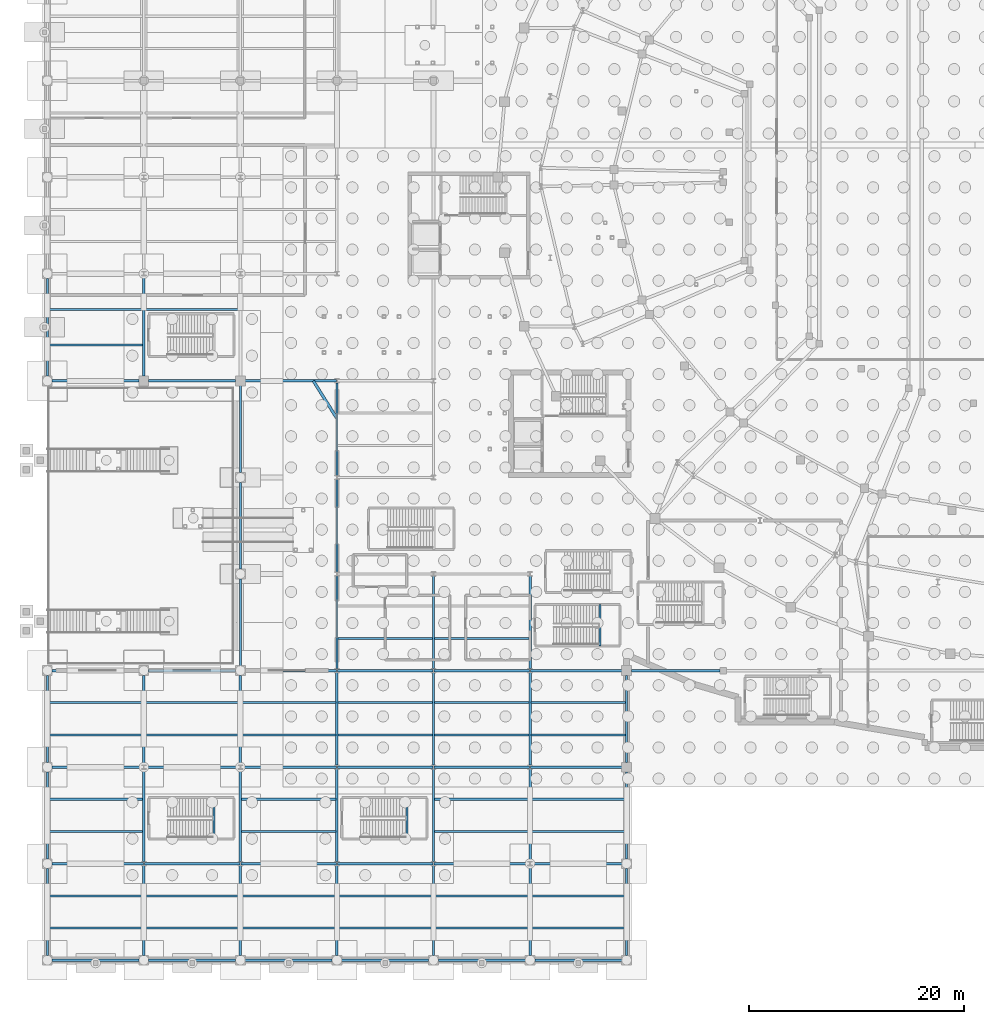
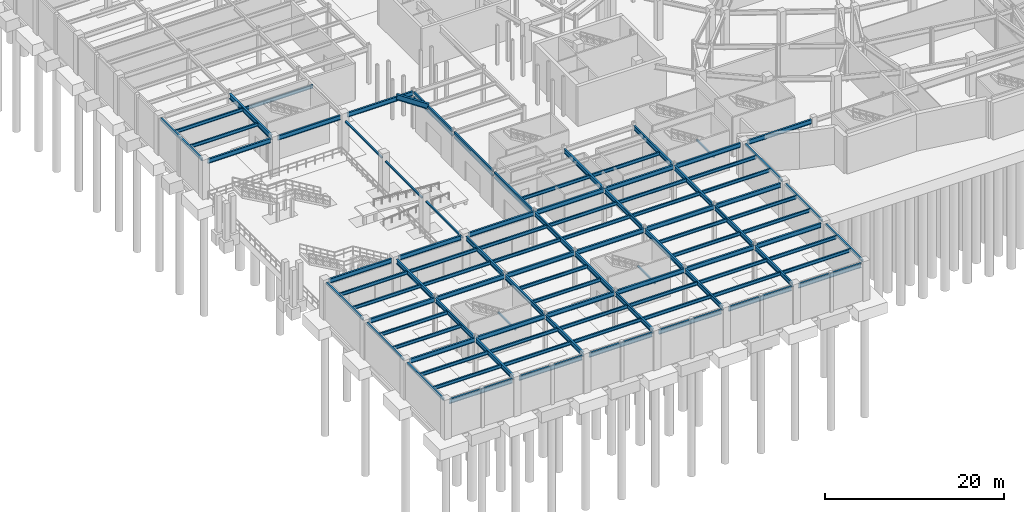
# One storey, part 32 of 56: 103 beams.
"""IFC4 building model written with IfcOpenShell, lengths in metres."""

from ifc_helpers import new_model, si_unit, direction, frame, origin, origin_2d, place, context, subcontext, project, spatial, hollow_rectangle, i_section, extrude, material, material_profile, profile_set, type_object, element, save


model = new_model("IFC4")

# Units and contexts
model_context = context("Model", 3, precision=1e-05, world=origin(), true_north=direction((0.0, 1.0)))
body_context = subcontext(model_context, "Body", "Model", "MODEL_VIEW")
ifc_project = project(units=[si_unit("LENGTHUNIT", "METRE"), si_unit("AREAUNIT", "SQUARE_METRE"), si_unit("VOLUMEUNIT", "CUBIC_METRE"), si_unit("PLANEANGLEUNIT", "RADIAN"), si_unit("MASSUNIT", "GRAM", prefix="KILO")], contexts=[model_context])

# Site, building, storey
site_placement = place(None, origin())
site = spatial("IfcSite", under=ifc_project, at=site_placement, CompositionType="ELEMENT")
building_placement = place(site_placement, origin())
building = spatial("IfcBuilding", under=site, at=building_placement, Name="Glasvene Arena", CompositionType="ELEMENT")
storey_placement = place(building_placement, frame((0.0, 0.0, -5.39990234375)))
storey = spatial("IfcBuildingStorey", under=building, at=storey_placement, Name="B1", CompositionType="ELEMENT", Elevation=-5.39990234375)

# Beams
ifc_material = material(Name="Steel S355J2", Category="steel")
ifc_material_profile_1 = material_profile(ifc_material, i_section(OverallWidth=0.228271484375, OverallDepth=0.607666015625, WebThickness=0.010986328125, FlangeThickness=0.017333984375, FilletRadius=0.0126953125, at=origin_2d()), Name="UKB 610x229x113")
ifc_profile_set_1 = profile_set([ifc_material_profile_1], Name="Steel S355J2")
beam_type_1 = type_object("IfcBeamType", Name="BM-GIRD-610", PredefinedType="BEAM", material=ifc_profile_set_1)
for number, where, z_axis, x_axis, name in (
    (1, (0.445068359375, 0.0, 4.736083984375), (1.0, 0.0, 0.0), (0.0, 1.0, 0.0), "Primary X girder B1-0001"),
    (2, (9.445068359375, 0.0, 4.736083984375), (1.0, 0.0, 0.0), (0.0, 1.0, 0.0), "Primary X girder B1-0002"),
    (3, (18.445068359375, 0.0, 4.736083984375), (1.0, 0.0, 0.0), (0.0, 1.0, 0.0), "Primary X girder B1-0003"),
    (4, (27.445068359375, 0.0, 4.736083984375), (1.0, 0.0, 0.0), (0.0, 1.0, 0.0), "Primary X girder B1-0004"),
    (5, (36.445068359375, 0.0, 4.736083984375), (1.0, 0.0, 0.0), (0.0, 1.0, 0.0), "Primary X girder B1-0005"),
    (6, (45.445068359375, 0.0, 4.736083984375), (1.0, 0.0, 0.0), (0.0, 1.0, 0.0), "Primary X girder B1-0006"),
):
    element("IfcBeam", number, at=place(storey_placement, frame(where, z_axis=z_axis, x_axis=x_axis)), inside=storey, type_object=beam_type_1, Name=name, PredefinedType="BEAM", context=body_context, shape_type="SweptSolid", body=[
        extrude(i_section(OverallWidth=0.228271484375, OverallDepth=0.607666015625, WebThickness=0.010986328125, FlangeThickness=0.017333984375, FilletRadius=0.0126953125, at=origin_2d()), origin(), (0.0, 0.0, 1.0), 8.10986328125),
    ])
beam_1_placement = place(storey_placement, frame((0.445068359375, 9.0, 4.736083984375), z_axis=(1.0, 0.0, 0.0), x_axis=(0.0, 1.0, 0.0)))
element("IfcBeam", 7, at=beam_1_placement, inside=storey, type_object=beam_type_1, Name="Primary X girder B1-0007", PredefinedType="BEAM", context=body_context, shape_type="SweptSolid", body=[
    extrude(i_section(OverallWidth=0.228271484375, OverallDepth=0.607666015625, WebThickness=0.010986328125, FlangeThickness=0.017333984375, FilletRadius=0.0126953125, at=origin_2d()), origin(), (0.0, 0.0, 1.0), 8.5048828125),
])
for number, where, z_axis, x_axis, name in (
    (8, (9.050048828125, 9.0, 4.736083984375), (1.0, 0.0, 0.0), (0.0, 1.0, 0.0), "Primary X girder B1-0008"),
    (9, (18.050048828125, 9.0, 4.736083984375), (1.0, 0.0, 0.0), (0.0, 1.0, 0.0), "Primary X girder B1-0009"),
    (10, (27.050048828125, 9.0, 4.736083984375), (1.0, 0.0, 0.0), (0.0, 1.0, 0.0), "Primary X girder B1-0010"),
    (11, (36.050048828125, 9.0, 4.736083984375), (1.0, 0.0, 0.0), (0.0, 1.0, 0.0), "Primary X girder B1-0011"),
):
    element("IfcBeam", number, at=place(storey_placement, frame(where, z_axis=z_axis, x_axis=x_axis)), inside=storey, type_object=beam_type_1, Name=name, PredefinedType="BEAM", context=body_context, shape_type="SweptSolid", body=[
        extrude(i_section(OverallWidth=0.228271484375, OverallDepth=0.607666015625, WebThickness=0.010986328125, FlangeThickness=0.017333984375, FilletRadius=0.0126953125, at=origin_2d()), origin(), (0.0, 0.0, 1.0), 8.89990234375),
    ])
for number, where, z_axis, x_axis, name in (
    (12, (45.050048828125, 9.0, 4.736083984375), (1.0, 0.0, 0.0), (0.0, 1.0, 0.0), "Primary X girder B1-0012"),
    (13, (0.445068359375, 18.0, 4.736083984375), (1.0, 0.0, 0.0), (0.0, 1.0, 0.0), "Primary X girder B1-0013"),
):
    element("IfcBeam", number, at=place(storey_placement, frame(where, z_axis=z_axis, x_axis=x_axis)), inside=storey, type_object=beam_type_1, Name=name, PredefinedType="BEAM", context=body_context, shape_type="SweptSolid", body=[
        extrude(i_section(OverallWidth=0.228271484375, OverallDepth=0.607666015625, WebThickness=0.010986328125, FlangeThickness=0.017333984375, FilletRadius=0.0126953125, at=origin_2d()), origin(), (0.0, 0.0, 1.0), 8.5048828125),
    ])
for number, where, z_axis, x_axis, name in (
    (14, (9.050048828125, 18.0, 4.736083984375), (1.0, 0.0, 0.0), (0.0, 1.0, 0.0), "Primary X girder B1-0014"),
    (15, (18.050048828125, 18.0, 4.736083984375), (1.0, 0.0, 0.0), (0.0, 1.0, 0.0), "Primary X girder B1-0015"),
    (16, (27.050048828125, 18.0, 4.736083984375), (1.0, 0.0, 0.0), (0.0, 1.0, 0.0), "Primary X girder B1-0016"),
    (17, (36.050048828125, 18.0, 4.736083984375), (1.0, 0.0, 0.0), (0.0, 1.0, 0.0), "Primary X girder B1-0017"),
):
    element("IfcBeam", number, at=place(storey_placement, frame(where, z_axis=z_axis, x_axis=x_axis)), inside=storey, type_object=beam_type_1, Name=name, PredefinedType="BEAM", context=body_context, shape_type="SweptSolid", body=[
        extrude(i_section(OverallWidth=0.228271484375, OverallDepth=0.607666015625, WebThickness=0.010986328125, FlangeThickness=0.017333984375, FilletRadius=0.0126953125, at=origin_2d()), origin(), (0.0, 0.0, 1.0), 8.89990234375),
    ])
beam_2_placement = place(storey_placement, frame((45.050048828125, 18.0, 4.736083984375), z_axis=(1.0, 0.0, 0.0), x_axis=(0.0, 1.0, 0.0)))
element("IfcBeam", 18, at=beam_2_placement, inside=storey, type_object=beam_type_1, Name="Primary X girder B1-0018", PredefinedType="BEAM", context=body_context, shape_type="SweptSolid", body=[
    extrude(i_section(OverallWidth=0.228271484375, OverallDepth=0.607666015625, WebThickness=0.010986328125, FlangeThickness=0.017333984375, FilletRadius=0.0126953125, at=origin_2d()), origin(), (0.0, 0.0, 1.0), 8.5048828125),
])
for number, where, z_axis, x_axis, name in (
    (19, (0.445068359375, 27.0, 4.736083984375), (1.0, 0.0, 0.0), (0.0, 1.0, 0.0), "Primary X girder B1-0019"),
    (20, (9.445068359375, 27.0, 4.736083984375), (1.0, 0.0, 0.0), (0.0, 1.0, 0.0), "Primary X girder B1-0020"),
):
    element("IfcBeam", number, at=place(storey_placement, frame(where, z_axis=z_axis, x_axis=x_axis)), inside=storey, type_object=beam_type_1, Name=name, PredefinedType="BEAM", context=body_context, shape_type="SweptSolid", body=[
        extrude(i_section(OverallWidth=0.228271484375, OverallDepth=0.607666015625, WebThickness=0.010986328125, FlangeThickness=0.017333984375, FilletRadius=0.0126953125, at=origin_2d()), origin(), (0.0, 0.0, 1.0), 8.10986328125),
    ])
beam_3_placement = place(storey_placement, frame((18.445068359375, 27.0, 4.736083984375), z_axis=(1.0, 0.0, 0.0), x_axis=(0.0, 1.0, 0.0)))
element("IfcBeam", 21, at=beam_3_placement, inside=storey, type_object=beam_type_1, Name="Primary X girder B1-0021", PredefinedType="BEAM", context=body_context, shape_type="SweptSolid", body=[
    extrude(i_section(OverallWidth=0.228271484375, OverallDepth=0.607666015625, WebThickness=0.010986328125, FlangeThickness=0.017333984375, FilletRadius=0.0126953125, at=origin_2d()), origin(), (0.0, 0.0, 1.0), 8.5048828125),
])
for number, where, z_axis, x_axis, name in (
    (22, (27.050048828125, 27.0, 4.736083984375), (1.0, 0.0, 0.0), (0.0, 1.0, 0.0), "Primary X girder B1-0022"),
    (23, (36.050048828125, 27.0, 4.736083984375), (1.0, 0.0, 0.0), (0.0, 1.0, 0.0), "Primary X girder B1-0023"),
):
    element("IfcBeam", number, at=place(storey_placement, frame(where, z_axis=z_axis, x_axis=x_axis)), inside=storey, type_object=beam_type_1, Name=name, PredefinedType="BEAM", context=body_context, shape_type="SweptSolid", body=[
        extrude(i_section(OverallWidth=0.228271484375, OverallDepth=0.607666015625, WebThickness=0.010986328125, FlangeThickness=0.017333984375, FilletRadius=0.0126953125, at=origin_2d()), origin(), (0.0, 0.0, 1.0), 8.89990234375),
    ])
beam_4_placement = place(storey_placement, frame((45.050048828125, 27.0, 4.736083984375), z_axis=(1.0, 0.0, 0.0), x_axis=(0.0, 1.0, 0.0)))
element("IfcBeam", 24, at=beam_4_placement, inside=storey, type_object=beam_type_1, Name="Primary X girder B1-0024", PredefinedType="BEAM", context=body_context, shape_type="SweptSolid", body=[
    extrude(i_section(OverallWidth=0.228271484375, OverallDepth=0.607666015625, WebThickness=0.010986328125, FlangeThickness=0.017333984375, FilletRadius=0.0126953125, at=origin_2d()), origin(), (0.0, 0.0, 1.0), 8.5048828125),
])
beam_5_placement = place(storey_placement, frame((54.445068359375, 27.0, 4.736083984375), z_axis=(1.0, 0.0, 0.0), x_axis=(0.0, 1.0, 0.0)))
element("IfcBeam", 25, at=beam_5_placement, inside=storey, type_object=beam_type_1, Name="Primary X girder B1-0025", PredefinedType="BEAM", context=body_context, shape_type="SweptSolid", body=[
    extrude(i_section(OverallWidth=0.228271484375, OverallDepth=0.607666015625, WebThickness=0.010986328125, FlangeThickness=0.017333984375, FilletRadius=0.0126953125, at=origin_2d()), origin(), (0.0, 0.0, 1.0), 8.260009765625),
])
for number, where, z_axis, x_axis, name in (
    (26, (0.445068359375, 54.0, 4.736083984375), (1.0, 0.0, 0.0), (0.0, 1.0, 0.0), "Primary X girder B1-0032"),
    (27, (9.445068359375, 54.0, 4.736083984375), (1.0, 0.0, 0.0), (0.0, 1.0, 0.0), "Primary X girder B1-0033"),
):
    element("IfcBeam", number, at=place(storey_placement, frame(where, z_axis=z_axis, x_axis=x_axis)), inside=storey, type_object=beam_type_1, Name=name, PredefinedType="BEAM", context=body_context, shape_type="SweptSolid", body=[
        extrude(i_section(OverallWidth=0.228271484375, OverallDepth=0.607666015625, WebThickness=0.010986328125, FlangeThickness=0.017333984375, FilletRadius=0.0126953125, at=origin_2d()), origin(), (0.0, 0.0, 1.0), 8.10986328125),
    ])
beam_6_placement = place(storey_placement, frame((18.445068359375, 54.0, 4.736083984375), z_axis=(1.0, 0.0, 0.0), x_axis=(0.0, 1.0, 0.0)))
element("IfcBeam", 28, at=beam_6_placement, inside=storey, type_object=beam_type_1, Name="Primary X girder B1-0034", PredefinedType="BEAM", context=body_context, shape_type="SweptSolid", body=[
    extrude(i_section(OverallWidth=0.228271484375, OverallDepth=0.607666015625, WebThickness=0.010986328125, FlangeThickness=0.017333984375, FilletRadius=0.0126953125, at=origin_2d()), origin(), (0.0, 0.0, 1.0), 8.5048828125),
])
beam_7_placement = place(storey_placement, frame((9.0, 0.445068359375, 4.736083984375), z_axis=(0.0, 1.0, 0.0), x_axis=(-1.0, 0.0, 0.0)))
element("IfcBeam", 29, at=beam_7_placement, inside=storey, type_object=beam_type_1, Name="Primary Y girder B1-0095", PredefinedType="BEAM", context=body_context, shape_type="SweptSolid", body=[
    extrude(i_section(OverallWidth=0.228271484375, OverallDepth=0.607666015625, WebThickness=0.010986328125, FlangeThickness=0.017333984375, FilletRadius=0.0126953125, at=origin_2d()), origin(), (0.0, 0.0, 1.0), 8.369384765625),
])
beam_8_placement = place(storey_placement, frame((9.0, 9.185546875, 4.736083984375), z_axis=(0.0, 1.0, 0.0), x_axis=(-1.0, 0.0, 0.0)))
element("IfcBeam", 30, at=beam_8_placement, inside=storey, type_object=beam_type_1, Name="Primary Y girder B1-0096", PredefinedType="BEAM", context=body_context, shape_type="SweptSolid", body=[
    extrude(i_section(OverallWidth=0.228271484375, OverallDepth=0.607666015625, WebThickness=0.010986328125, FlangeThickness=0.017333984375, FilletRadius=0.0126953125, at=origin_2d()), origin(), (0.0, 0.0, 1.0), 8.62890625),
])
for number, where, z_axis, x_axis, name in (
    (31, (9.0, 18.185546875, 4.736083984375), (0.0, 1.0, 0.0), (-1.0, 0.0, 0.0), "Primary Y girder B1-0097"),
    (32, (18.0, 0.445068359375, 4.736083984375), (0.0, 1.0, 0.0), (-1.0, 0.0, 0.0), "Primary Y girder B1-0105"),
):
    element("IfcBeam", number, at=place(storey_placement, frame(where, z_axis=z_axis, x_axis=x_axis)), inside=storey, type_object=beam_type_1, Name=name, PredefinedType="BEAM", context=body_context, shape_type="SweptSolid", body=[
        extrude(i_section(OverallWidth=0.228271484375, OverallDepth=0.607666015625, WebThickness=0.010986328125, FlangeThickness=0.017333984375, FilletRadius=0.0126953125, at=origin_2d()), origin(), (0.0, 0.0, 1.0), 8.369384765625),
    ])
beam_9_placement = place(storey_placement, frame((18.0, 9.185546875, 4.736083984375), z_axis=(0.0, 1.0, 0.0), x_axis=(-1.0, 0.0, 0.0)))
element("IfcBeam", 33, at=beam_9_placement, inside=storey, type_object=beam_type_1, Name="Primary Y girder B1-0106", PredefinedType="BEAM", context=body_context, shape_type="SweptSolid", body=[
    extrude(i_section(OverallWidth=0.228271484375, OverallDepth=0.607666015625, WebThickness=0.010986328125, FlangeThickness=0.017333984375, FilletRadius=0.0126953125, at=origin_2d()), origin(), (0.0, 0.0, 1.0), 8.62890625),
])
for number, where, z_axis, x_axis, name in (
    (34, (18.0, 18.185546875, 4.736083984375), (0.0, 1.0, 0.0), (-1.0, 0.0, 0.0), "Primary Y girder B1-0107"),
    (35, (27.0, 0.445068359375, 4.736083984375), (0.0, 1.0, 0.0), (-1.0, 0.0, 0.0), "Primary Y girder B1-0115"),
):
    element("IfcBeam", number, at=place(storey_placement, frame(where, z_axis=z_axis, x_axis=x_axis)), inside=storey, type_object=beam_type_1, Name=name, PredefinedType="BEAM", context=body_context, shape_type="SweptSolid", body=[
        extrude(i_section(OverallWidth=0.228271484375, OverallDepth=0.607666015625, WebThickness=0.010986328125, FlangeThickness=0.017333984375, FilletRadius=0.0126953125, at=origin_2d()), origin(), (0.0, 0.0, 1.0), 8.369384765625),
    ])
for number, where, z_axis, x_axis, name in (
    (36, (27.0, 9.185546875, 4.736083984375), (0.0, 1.0, 0.0), (-1.0, 0.0, 0.0), "Primary Y girder B1-0116"),
    (37, (27.0, 18.185546875, 4.736083984375), (0.0, 1.0, 0.0), (-1.0, 0.0, 0.0), "Primary Y girder B1-0117"),
):
    element("IfcBeam", number, at=place(storey_placement, frame(where, z_axis=z_axis, x_axis=x_axis)), inside=storey, type_object=beam_type_1, Name=name, PredefinedType="BEAM", context=body_context, shape_type="SweptSolid", body=[
        extrude(i_section(OverallWidth=0.228271484375, OverallDepth=0.607666015625, WebThickness=0.010986328125, FlangeThickness=0.017333984375, FilletRadius=0.0126953125, at=origin_2d()), origin(), (0.0, 0.0, 1.0), 8.62890625),
    ])
beam_10_placement = place(storey_placement, frame((36.0, 0.445068359375, 4.736083984375), z_axis=(0.0, 1.0, 0.0), x_axis=(-1.0, 0.0, 0.0)))
element("IfcBeam", 38, at=beam_10_placement, inside=storey, type_object=beam_type_1, Name="Primary Y girder B1-0127", PredefinedType="BEAM", context=body_context, shape_type="SweptSolid", body=[
    extrude(i_section(OverallWidth=0.228271484375, OverallDepth=0.607666015625, WebThickness=0.010986328125, FlangeThickness=0.017333984375, FilletRadius=0.0126953125, at=origin_2d()), origin(), (0.0, 0.0, 1.0), 8.369384765625),
])
for number, where, z_axis, x_axis, name in (
    (39, (36.0, 9.185546875, 4.736083984375), (0.0, 1.0, 0.0), (-1.0, 0.0, 0.0), "Primary Y girder B1-0128"),
    (40, (36.0, 18.185546875, 4.736083984375), (0.0, 1.0, 0.0), (-1.0, 0.0, 0.0), "Primary Y girder B1-0129"),
    (41, (36.0, 27.185546875, 4.736083984375), (0.0, 1.0, 0.0), (-1.0, 0.0, 0.0), "Primary Y girder B1-0130"),
):
    element("IfcBeam", number, at=place(storey_placement, frame(where, z_axis=z_axis, x_axis=x_axis)), inside=storey, type_object=beam_type_1, Name=name, PredefinedType="BEAM", context=body_context, shape_type="SweptSolid", body=[
        extrude(i_section(OverallWidth=0.228271484375, OverallDepth=0.607666015625, WebThickness=0.010986328125, FlangeThickness=0.017333984375, FilletRadius=0.0126953125, at=origin_2d()), origin(), (0.0, 0.0, 1.0), 8.62890625),
    ])
beam_11_placement = place(storey_placement, frame((45.0, 0.445068359375, 4.736083984375), z_axis=(0.0, 1.0, 0.0), x_axis=(-1.0, 0.0, 0.0)))
element("IfcBeam", 42, at=beam_11_placement, inside=storey, type_object=beam_type_1, Name="Primary Y girder B1-0135", PredefinedType="BEAM", context=body_context, shape_type="SweptSolid", body=[
    extrude(i_section(OverallWidth=0.228271484375, OverallDepth=0.607666015625, WebThickness=0.010986328125, FlangeThickness=0.017333984375, FilletRadius=0.0126953125, at=origin_2d()), origin(), (0.0, 0.0, 1.0), 8.369384765625),
])
for number, where, z_axis, x_axis, name in (
    (43, (45.0, 9.185546875, 4.736083984375), (0.0, 1.0, 0.0), (-1.0, 0.0, 0.0), "Primary Y girder B1-0136"),
    (44, (45.0, 18.185546875, 4.736083984375), (0.0, 1.0, 0.0), (-1.0, 0.0, 0.0), "Primary Y girder B1-0137"),
    (45, (45.0, 27.185546875, 4.736083984375), (0.0, 1.0, 0.0), (-1.0, 0.0, 0.0), "Primary Y girder B1-0138"),
):
    element("IfcBeam", number, at=place(storey_placement, frame(where, z_axis=z_axis, x_axis=x_axis)), inside=storey, type_object=beam_type_1, Name=name, PredefinedType="BEAM", context=body_context, shape_type="SweptSolid", body=[
        extrude(i_section(OverallWidth=0.228271484375, OverallDepth=0.607666015625, WebThickness=0.010986328125, FlangeThickness=0.017333984375, FilletRadius=0.0126953125, at=origin_2d()), origin(), (0.0, 0.0, 1.0), 8.62890625),
    ])
ifc_material_profile_2 = material_profile(ifc_material, i_section(OverallWidth=0.253662109375, OverallDepth=0.68359375, WebThickness=0.012451171875, FlangeThickness=0.01904296875, FilletRadius=0.01513671875, at=origin_2d()), Name="UKB 686x254x140")
ifc_profile_set_2 = profile_set([ifc_material_profile_2], Name="Steel S355J2")
beam_type_2 = type_object("IfcBeamType", Name="BM-GIRD-686", PredefinedType="BEAM", material=ifc_profile_set_2)
beam_12_placement = place(storey_placement, frame((9.0, 54.445068359375, 4.6982421875), z_axis=(0.0, 1.0, 0.0), x_axis=(-1.0, 0.0, 0.0)))
element("IfcBeam", 46, at=beam_12_placement, inside=storey, type_object=beam_type_2, Name="Primary Y girder B1-0098", PredefinedType="BEAM", context=body_context, shape_type="SweptSolid", body=[
    extrude(i_section(OverallWidth=0.253662109375, OverallDepth=0.68359375, WebThickness=0.012451171875, FlangeThickness=0.01904296875, FilletRadius=0.01513671875, at=origin_2d()), origin(), (0.0, 0.0, 1.0), 9.369384765625),
])
ifc_material_profile_3 = material_profile(ifc_material, i_section(OverallWidth=0.2666015625, OverallDepth=0.76220703125, WebThickness=0.014404296875, FlangeThickness=0.021484375, FilletRadius=0.0166015625, at=origin_2d()), Name="UKB 762x267x173")
ifc_profile_set_3 = profile_set([ifc_material_profile_3], Name="Steel S355J2")
beam_type_3 = type_object("IfcBeamType", Name="BM-GIRD-762", PredefinedType="BEAM", material=ifc_profile_set_3)
beam_13_placement = place(storey_placement, frame((27.0, 50.5, 5.018798828125), z_axis=(-0.53216307885, 0.846641870869, 0.0), x_axis=(-0.846641870869, -0.53216307885, 0.0)))
element("IfcBeam", 47, at=beam_13_placement, inside=storey, type_object=beam_type_3, Name="Public passage chamfer edge girder B1", PredefinedType="BEAM", context=body_context, shape_type="SweptSolid", body=[
    extrude(i_section(OverallWidth=0.2666015625, OverallDepth=0.76220703125, WebThickness=0.014404296875, FlangeThickness=0.021484375, FilletRadius=0.0166015625, at=origin_2d()), origin(), (0.0, 0.0, 1.0), 4.134033203125),
])
ifc_material_profile_4 = material_profile(ifc_material, i_section(OverallWidth=0.1904296875, OverallDepth=0.45703125, WebThickness=0.009033203125, FlangeThickness=0.014404296875, FilletRadius=0.01025390625, at=origin_2d()), Name="UKB 457x191x74")
ifc_profile_set_4 = profile_set([ifc_material_profile_4], Name="Steel S355J2")
beam_type_4 = type_object("IfcBeamType", Name="BM-JOIST-457", PredefinedType="JOIST", material=ifc_profile_set_4)
for number, where, z_axis, x_axis, name in (
    (48, (0.095947265625, 3.0, 4.8115234375), (1.0, 0.0, 0.0), (0.0, 1.0, 0.0), "Composite floor joist B1-0170"),
    (49, (0.095947265625, 6.0, 4.8115234375), (1.0, 0.0, 0.0), (0.0, 1.0, 0.0), "Composite floor joist B1-0171"),
    (50, (0.095947265625, 12.0, 4.8115234375), (1.0, 0.0, 0.0), (0.0, 1.0, 0.0), "Composite floor joist B1-0172"),
    (51, (0.095947265625, 15.0, 4.8115234375), (1.0, 0.0, 0.0), (0.0, 1.0, 0.0), "Composite floor joist B1-0173"),
    (52, (0.095947265625, 21.0, 4.8115234375), (1.0, 0.0, 0.0), (0.0, 1.0, 0.0), "Composite floor joist B1-0174"),
    (53, (0.095947265625, 24.0, 4.8115234375), (1.0, 0.0, 0.0), (0.0, 1.0, 0.0), "Composite floor joist B1-0175"),
):
    element("IfcBeam", number, at=place(storey_placement, frame(where, z_axis=z_axis, x_axis=x_axis)), inside=storey, type_object=beam_type_4, Name=name, PredefinedType="JOIST", context=body_context, shape_type="SweptSolid", body=[
        extrude(i_section(OverallWidth=0.1904296875, OverallDepth=0.45703125, WebThickness=0.009033203125, FlangeThickness=0.014404296875, FilletRadius=0.01025390625, at=origin_2d()), origin(), (0.0, 0.0, 1.0), 8.7939453125),
    ])
for number, where, z_axis, x_axis, name in (
    (54, (0.095947265625, 57.333251953125, 4.8115234375), (1.0, 0.0, 0.0), (0.0, 1.0, 0.0), "Composite floor joist B1-0176"),
    (55, (0.095947265625, 60.666748046875, 4.8115234375), (1.0, 0.0, 0.0), (0.0, 1.0, 0.0), "Composite floor joist B1-0177"),
):
    element("IfcBeam", number, at=place(storey_placement, frame(where, z_axis=z_axis, x_axis=x_axis)), inside=storey, type_object=beam_type_4, Name=name, PredefinedType="JOIST", context=body_context, shape_type="SweptSolid", body=[
        extrude(i_section(OverallWidth=0.1904296875, OverallDepth=0.45703125, WebThickness=0.009033203125, FlangeThickness=0.014404296875, FilletRadius=0.01025390625, at=origin_2d()), origin(), (0.0, 0.0, 1.0), 8.78125),
    ])
for number, where, z_axis, x_axis, name in (
    (56, (9.110107421875, 3.0, 4.8115234375), (1.0, 0.0, 0.0), (0.0, 1.0, 0.0), "Composite floor joist B1-0190"),
    (57, (9.110107421875, 6.0, 4.8115234375), (1.0, 0.0, 0.0), (0.0, 1.0, 0.0), "Composite floor joist B1-0191"),
    (58, (9.110107421875, 21.0, 4.8115234375), (1.0, 0.0, 0.0), (0.0, 1.0, 0.0), "Composite floor joist B1-0192"),
    (59, (9.110107421875, 24.0, 4.8115234375), (1.0, 0.0, 0.0), (0.0, 1.0, 0.0), "Composite floor joist B1-0193"),
):
    element("IfcBeam", number, at=place(storey_placement, frame(where, z_axis=z_axis, x_axis=x_axis)), inside=storey, type_object=beam_type_4, Name=name, PredefinedType="JOIST", context=body_context, shape_type="SweptSolid", body=[
        extrude(i_section(OverallWidth=0.1904296875, OverallDepth=0.45703125, WebThickness=0.009033203125, FlangeThickness=0.014404296875, FilletRadius=0.01025390625, at=origin_2d()), origin(), (0.0, 0.0, 1.0), 8.77978515625),
    ])
beam_14_placement = place(storey_placement, frame((9.122802734375, 60.666748046875, 4.8115234375), z_axis=(1.0, 0.0, 0.0), x_axis=(0.0, 1.0, 0.0)))
element("IfcBeam", 60, at=beam_14_placement, inside=storey, type_object=beam_type_4, Name="Composite floor joist B1-0194", PredefinedType="JOIST", context=body_context, shape_type="SweptSolid", body=[
    extrude(i_section(OverallWidth=0.1904296875, OverallDepth=0.45703125, WebThickness=0.009033203125, FlangeThickness=0.014404296875, FilletRadius=0.01025390625, at=origin_2d()), origin(), (0.0, 0.0, 1.0), 8.75439453125),
])
for number, where, z_axis, x_axis, name in (
    (61, (18.110107421875, 3.0, 4.8115234375), (1.0, 0.0, 0.0), (0.0, 1.0, 0.0), "Composite floor joist B1-0206"),
    (62, (18.110107421875, 6.0, 4.8115234375), (1.0, 0.0, 0.0), (0.0, 1.0, 0.0), "Composite floor joist B1-0207"),
    (63, (18.110107421875, 12.0, 4.8115234375), (1.0, 0.0, 0.0), (0.0, 1.0, 0.0), "Composite floor joist B1-0208"),
    (64, (18.110107421875, 15.0, 4.8115234375), (1.0, 0.0, 0.0), (0.0, 1.0, 0.0), "Composite floor joist B1-0209"),
    (65, (18.110107421875, 21.0, 4.8115234375), (1.0, 0.0, 0.0), (0.0, 1.0, 0.0), "Composite floor joist B1-0210"),
    (66, (18.110107421875, 24.0, 4.8115234375), (1.0, 0.0, 0.0), (0.0, 1.0, 0.0), "Composite floor joist B1-0211"),
    (67, (27.110107421875, 3.0, 4.8115234375), (1.0, 0.0, 0.0), (0.0, 1.0, 0.0), "Composite floor joist B1-0224"),
    (68, (27.110107421875, 6.0, 4.8115234375), (1.0, 0.0, 0.0), (0.0, 1.0, 0.0), "Composite floor joist B1-0225"),
    (69, (27.110107421875, 21.0, 4.8115234375), (1.0, 0.0, 0.0), (0.0, 1.0, 0.0), "Composite floor joist B1-0226"),
    (70, (27.110107421875, 24.0, 4.8115234375), (1.0, 0.0, 0.0), (0.0, 1.0, 0.0), "Composite floor joist B1-0227"),
):
    element("IfcBeam", number, at=place(storey_placement, frame(where, z_axis=z_axis, x_axis=x_axis)), inside=storey, type_object=beam_type_4, Name=name, PredefinedType="JOIST", context=body_context, shape_type="SweptSolid", body=[
        extrude(i_section(OverallWidth=0.1904296875, OverallDepth=0.45703125, WebThickness=0.009033203125, FlangeThickness=0.014404296875, FilletRadius=0.01025390625, at=origin_2d()), origin(), (0.0, 0.0, 1.0), 8.77978515625),
    ])
beam_15_placement = place(storey_placement, frame((27.095947265625, 30.0, 4.8115234375), z_axis=(1.0, 0.0, 0.0), x_axis=(0.0, 1.0, 0.0)))
element("IfcBeam", 71, at=beam_15_placement, inside=storey, type_object=beam_type_4, Name="Composite floor joist B1-0228", PredefinedType="JOIST", context=body_context, shape_type="SweptSolid", body=[
    extrude(i_section(OverallWidth=0.1904296875, OverallDepth=0.45703125, WebThickness=0.009033203125, FlangeThickness=0.014404296875, FilletRadius=0.01025390625, at=origin_2d()), origin(), (0.0, 0.0, 1.0), 8.7939453125),
])
for number, where, z_axis, x_axis, name in (
    (72, (36.110107421875, 3.0, 4.8115234375), (1.0, 0.0, 0.0), (0.0, 1.0, 0.0), "Composite floor joist B1-0236"),
    (73, (36.110107421875, 6.0, 4.8115234375), (1.0, 0.0, 0.0), (0.0, 1.0, 0.0), "Composite floor joist B1-0237"),
    (74, (36.110107421875, 12.0, 4.8115234375), (1.0, 0.0, 0.0), (0.0, 1.0, 0.0), "Composite floor joist B1-0238"),
    (75, (36.110107421875, 15.0, 4.8115234375), (1.0, 0.0, 0.0), (0.0, 1.0, 0.0), "Composite floor joist B1-0239"),
    (76, (36.110107421875, 21.0, 4.8115234375), (1.0, 0.0, 0.0), (0.0, 1.0, 0.0), "Composite floor joist B1-0240"),
    (77, (36.110107421875, 24.0, 4.8115234375), (1.0, 0.0, 0.0), (0.0, 1.0, 0.0), "Composite floor joist B1-0241"),
    (78, (36.110107421875, 30.0, 4.8115234375), (1.0, 0.0, 0.0), (0.0, 1.0, 0.0), "Composite floor joist B1-0242"),
):
    element("IfcBeam", number, at=place(storey_placement, frame(where, z_axis=z_axis, x_axis=x_axis)), inside=storey, type_object=beam_type_4, Name=name, PredefinedType="JOIST", context=body_context, shape_type="SweptSolid", body=[
        extrude(i_section(OverallWidth=0.1904296875, OverallDepth=0.45703125, WebThickness=0.009033203125, FlangeThickness=0.014404296875, FilletRadius=0.01025390625, at=origin_2d()), origin(), (0.0, 0.0, 1.0), 8.77978515625),
    ])
for number, where, z_axis, x_axis, name in (
    (79, (45.110107421875, 3.0, 4.8115234375), (1.0, 0.0, 0.0), (0.0, 1.0, 0.0), "Composite floor joist B1-0246"),
    (80, (45.110107421875, 6.0, 4.8115234375), (1.0, 0.0, 0.0), (0.0, 1.0, 0.0), "Composite floor joist B1-0247"),
    (81, (45.110107421875, 12.0, 4.8115234375), (1.0, 0.0, 0.0), (0.0, 1.0, 0.0), "Composite floor joist B1-0248"),
    (82, (45.110107421875, 15.0, 4.8115234375), (1.0, 0.0, 0.0), (0.0, 1.0, 0.0), "Composite floor joist B1-0249"),
    (83, (45.110107421875, 21.0, 4.8115234375), (1.0, 0.0, 0.0), (0.0, 1.0, 0.0), "Composite floor joist B1-0250"),
    (84, (45.110107421875, 24.0, 4.8115234375), (1.0, 0.0, 0.0), (0.0, 1.0, 0.0), "Composite floor joist B1-0251"),
):
    element("IfcBeam", number, at=place(storey_placement, frame(where, z_axis=z_axis, x_axis=x_axis)), inside=storey, type_object=beam_type_4, Name=name, PredefinedType="JOIST", context=body_context, shape_type="SweptSolid", body=[
        extrude(i_section(OverallWidth=0.1904296875, OverallDepth=0.45703125, WebThickness=0.009033203125, FlangeThickness=0.014404296875, FilletRadius=0.01025390625, at=origin_2d()), origin(), (0.0, 0.0, 1.0), 8.7939453125),
    ])
ifc_material_profile_5 = material_profile(ifc_material, hollow_rectangle(XDim=0.199951171875, YDim=0.199951171875, WallThickness=0.010009765625, at=origin_2d()), Name="SHS 200x200x10.0")
ifc_profile_set_5 = profile_set([ifc_material_profile_5], Name="Steel S355J2")
beam_type_5 = type_object("IfcBeamType", Name="BM-LINTEL-200", PredefinedType="LINTEL", material=ifc_profile_set_5)
for number, where, z_axis, x_axis, name in (
    (85, (18.0, 27.446044921875, 4.260009765625), (0.0, 1.0, 0.0), (-1.0, 0.0, 0.0), "Passage portal lintel B1-2-3"),
    (86, (18.0, 36.446044921875, 4.260009765625), (0.0, 1.0, 0.0), (-1.0, 0.0, 0.0), "Passage portal lintel B1-2-4"),
    (87, (18.0, 45.446044921875, 4.260009765625), (0.0, 1.0, 0.0), (-1.0, 0.0, 0.0), "Passage portal lintel B1-2-5"),
):
    element("IfcBeam", number, at=place(storey_placement, frame(where, z_axis=z_axis, x_axis=x_axis)), inside=storey, type_object=beam_type_5, Name=name, PredefinedType="LINTEL", context=body_context, shape_type="SweptSolid", body=[
        extrude(hollow_rectangle(XDim=0.199951171875, YDim=0.199951171875, WallThickness=0.010009765625, at=origin_2d()), origin(), (0.0, 0.0, 1.0), 8.10791015625),
    ])
for number, where, z_axis, x_axis, name in (
    (88, (27.0, 27.1865234375, 4.260009765625), (0.0, 1.0, 0.0), (-1.0, 0.0, 0.0), "Passage portal lintel B1-3-3"),
    (89, (27.0, 36.1865234375, 4.260009765625), (0.0, 1.0, 0.0), (-1.0, 0.0, 0.0), "Passage portal lintel B1-3-4"),
    (90, (27.0, 45.1865234375, 4.260009765625), (0.0, 1.0, 0.0), (-1.0, 0.0, 0.0), "Passage portal lintel B1-3-5"),
):
    element("IfcBeam", number, at=place(storey_placement, frame(where, z_axis=z_axis, x_axis=x_axis)), inside=storey, type_object=beam_type_5, Name=name, PredefinedType="LINTEL", context=body_context, shape_type="SweptSolid", body=[
        extrude(hollow_rectangle(XDim=0.199951171875, YDim=0.199951171875, WallThickness=0.010009765625, at=origin_2d()), origin(), (0.0, 0.0, 1.0), 8.626953125),
    ])
for number, where, z_axis, x_axis, name in (
    (91, (51.52001953125, 29.280029296875, 2.3798828125), (0.0, 1.0, 0.0), (-1.0, 0.0, 0.0), "Stair half-landing support beam ST-16-B1"),
    (92, (15.52001953125, 11.280029296875, 2.3798828125), (0.0, 1.0, 0.0), (-1.0, 0.0, 0.0), "Stair half-landing support beam ST-B02-B1"),
    (93, (33.52001953125, 11.280029296875, 2.3798828125), (0.0, 1.0, 0.0), (-1.0, 0.0, 0.0), "Stair half-landing support beam ST-B03-B1"),
):
    element("IfcBeam", number, at=place(storey_placement, frame(where, z_axis=z_axis, x_axis=x_axis)), inside=storey, type_object=beam_type_5, Name=name, PredefinedType="LINTEL", context=body_context, shape_type="SweptSolid", body=[
        extrude(hollow_rectangle(XDim=0.199951171875, YDim=0.199951171875, WallThickness=0.010009765625, at=origin_2d()), origin(), (0.0, 0.0, 1.0), 3.889892578125),
    ])
ifc_material_profile_6 = material_profile(ifc_material, hollow_rectangle(XDim=0.199951171875, YDim=0.300048828125, WallThickness=0.012451171875, at=origin_2d()), Name="RHS 300x200x12.5")
ifc_profile_set_6 = profile_set([ifc_material_profile_6], Name="Steel S355J2")
beam_type_6 = type_object("IfcBeamType", Name="BM-SPAND-300", PredefinedType="SPANDREL", material=ifc_profile_set_6)
for number, where, z_axis, x_axis, name in (
    (94, (0.0, 0.445068359375, 4.889892578125), (0.0, 1.0, 0.0), (-1.0, 0.0, 0.0), "Primary Y girder B1-0085"),
    (95, (0.0, 9.445068359375, 4.889892578125), (0.0, 1.0, 0.0), (-1.0, 0.0, 0.0), "Primary Y girder B1-0086"),
    (96, (0.0, 18.445068359375, 4.889892578125), (0.0, 1.0, 0.0), (-1.0, 0.0, 0.0), "Primary Y girder B1-0087"),
):
    element("IfcBeam", number, at=place(storey_placement, frame(where, z_axis=z_axis, x_axis=x_axis)), inside=storey, type_object=beam_type_6, Name=name, PredefinedType="SPANDREL", context=body_context, shape_type="SweptSolid", body=[
        extrude(hollow_rectangle(XDim=0.199951171875, YDim=0.300048828125, WallThickness=0.012451171875, at=origin_2d()), origin(), (0.0, 0.0, 1.0), 8.10986328125),
    ])
for number, where, z_axis, x_axis, name in (
    (97, (27.0, 27.185546875, 4.889892578125), (0.0, 1.0, 0.0), (-1.0, 0.0, 0.0), "Primary Y girder B1-0118"),
    (98, (27.0, 36.185546875, 4.889892578125), (0.0, 1.0, 0.0), (-1.0, 0.0, 0.0), "Primary Y girder B1-0119"),
    (99, (27.0, 45.185546875, 4.889892578125), (0.0, 1.0, 0.0), (-1.0, 0.0, 0.0), "Primary Y girder B1-0120"),
):
    element("IfcBeam", number, at=place(storey_placement, frame(where, z_axis=z_axis, x_axis=x_axis)), inside=storey, type_object=beam_type_6, Name=name, PredefinedType="SPANDREL", context=body_context, shape_type="SweptSolid", body=[
        extrude(hollow_rectangle(XDim=0.199951171875, YDim=0.300048828125, WallThickness=0.012451171875, at=origin_2d()), origin(), (0.0, 0.0, 1.0), 8.62890625),
    ])
for number, where, z_axis, x_axis, name in (
    (100, (54.0, 0.445068359375, 4.889892578125), (0.0, 1.0, 0.0), (-1.0, 0.0, 0.0), "Primary Y girder B1-0140"),
    (101, (54.0, 9.445068359375, 4.889892578125), (0.0, 1.0, 0.0), (-1.0, 0.0, 0.0), "Primary Y girder B1-0141"),
    (102, (54.0, 18.445068359375, 4.889892578125), (0.0, 1.0, 0.0), (-1.0, 0.0, 0.0), "Primary Y girder B1-0142"),
):
    element("IfcBeam", number, at=place(storey_placement, frame(where, z_axis=z_axis, x_axis=x_axis)), inside=storey, type_object=beam_type_6, Name=name, PredefinedType="SPANDREL", context=body_context, shape_type="SweptSolid", body=[
        extrude(hollow_rectangle(XDim=0.199951171875, YDim=0.300048828125, WallThickness=0.012451171875, at=origin_2d()), origin(), (0.0, 0.0, 1.0), 8.10986328125),
    ])
ifc_material_profile_7 = material_profile(ifc_material, hollow_rectangle(XDim=0.199951171875, YDim=0.39990234375, WallThickness=0.01611328125, at=origin_2d()), Name="RHS 400x200x16.0")
ifc_profile_set_7 = profile_set([ifc_material_profile_7], Name="Steel S355J2")
beam_type_7 = type_object("IfcBeamType", Name="BM-SPAND-400", PredefinedType="SPANDREL", material=ifc_profile_set_7)
beam_16_placement = place(storey_placement, frame((0.0, 54.445068359375, 4.83984375), z_axis=(0.0, 1.0, 0.0), x_axis=(-1.0, 0.0, 0.0)))
element("IfcBeam", 103, at=beam_16_placement, inside=storey, type_object=beam_type_7, Name="Primary Y girder B1-0088", PredefinedType="SPANDREL", context=body_context, shape_type="SweptSolid", body=[
    extrude(hollow_rectangle(XDim=0.199951171875, YDim=0.39990234375, WallThickness=0.01611328125, at=origin_2d()), origin(), (0.0, 0.0, 1.0), 9.10986328125),
])

save(model, "model.ifc")
